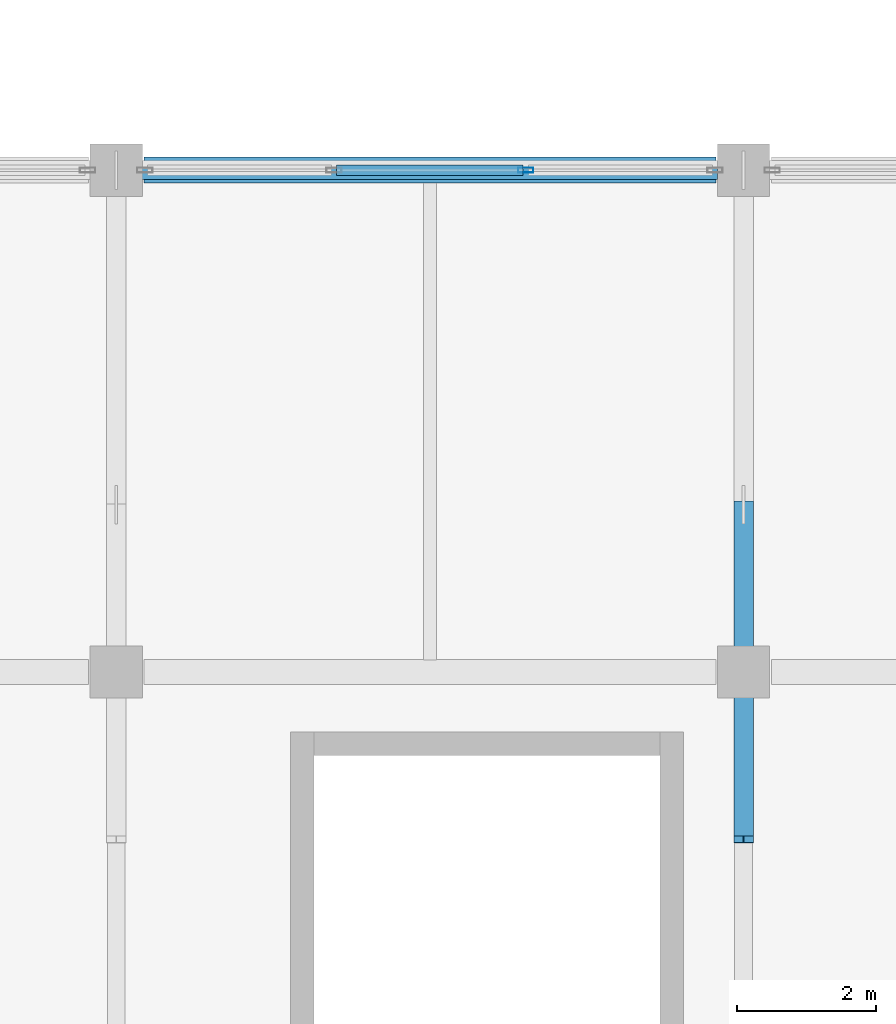
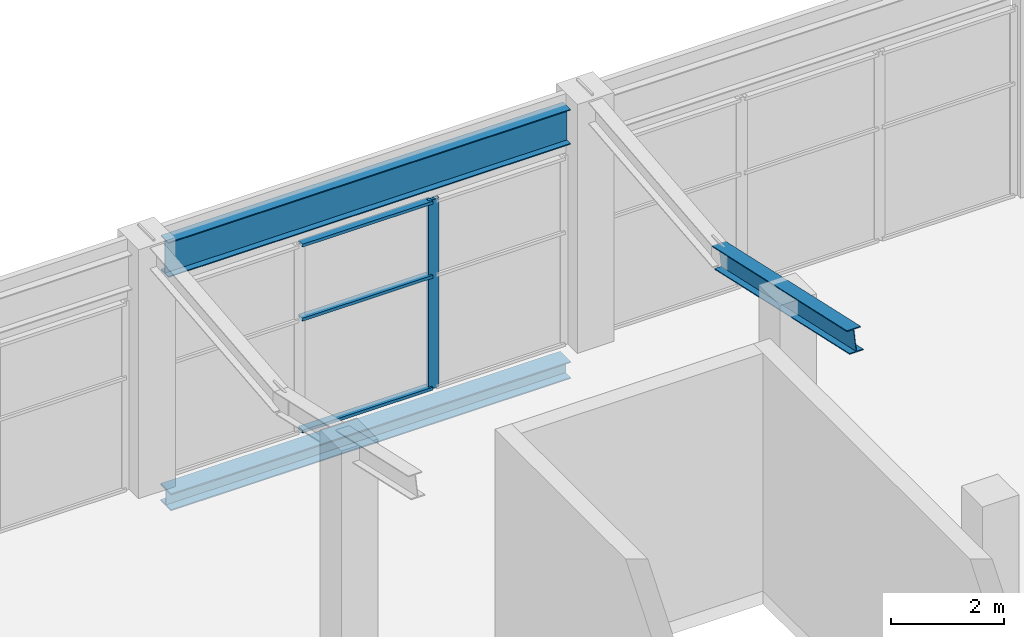
# One storey, part 87 of 189: 5 members, 2 beams, 1 element without a shape of its own.
"""IFC4 building model written with IfcOpenShell, lengths in metres."""

import ifcopenshell
import ifcopenshell.guid

model = None  # the IFC model being written
_history = None  # IfcOwnerHistory: only IFC2X3 demands one
_inside = {}  # id of a spatial element -> (the spatial element, [elements in it])
_under = {}  # id of a project, library or spatial element -> (it, [spatial elements below it])
_declared = {}  # id of a project -> (the project, [libraries it declares])
_typed = {}  # id of a type object -> (the type object, [elements of that type])
_made_of = {}  # id of a material, layer set ... -> (it, [elements and type objects made of it])


def new_model(schema):
    """Start an empty IFC model of exactly this schema.

    Asked for "IFC4X3", IfcOpenShell would pick the latest addendum, in which some entities
    have other attributes; the version numbers below select the first issue.
    IFC2X3 requires an IfcOwnerHistory on every rooted entity: one is made here for all.
    """
    global model, _history
    if schema == "IFC4X3":
        model = ifcopenshell.file(schema_version=(4, 3, 0, 0))
    else:
        model = ifcopenshell.file(schema=schema)
    _inside.clear()
    _under.clear()
    _declared.clear()
    _typed.clear()
    _made_of.clear()
    _history = None
    if model.schema == "IFC2X3":
        org = make("IfcOrganization", Name="unknown")
        user = make(
            "IfcPersonAndOrganization",
            ThePerson=make("IfcPerson", FamilyName="unknown"),
            TheOrganization=org,
        )
        app = make(
            "IfcApplication",
            ApplicationDeveloper=org,
            Version="unknown",
            ApplicationFullName="unknown",
            ApplicationIdentifier="unknown",
        )
        _history = make(
            "IfcOwnerHistory",
            OwningUser=user,
            OwningApplication=app,
            ChangeAction="ADDED",
            CreationDate=0,
        )
    return model


def make(cls, **values):
    """One entity of the class cls with the attributes given. An attribute that is None is left unset."""
    return model.create_entity(
        cls, **{name: value for name, value in values.items() if value is not None}
    )


def rooted(cls, **values):
    """An entity with a GlobalId (a new one), such as an element, a storey or a relation."""
    return make(cls, GlobalId=ifcopenshell.guid.new(), OwnerHistory=_history, **values)


def si_unit(unit_type, name, prefix=None):
    """IfcSIUnit, for example si_unit("LENGTHUNIT", "METRE", prefix="MILLI")."""
    return make("IfcSIUnit", UnitType=unit_type, Prefix=prefix, Name=name)


def assignment(units):
    """IfcUnitAssignment: the units of a project."""
    return None if units is None else make("IfcUnitAssignment", Units=units)


def point(xyz):
    """IfcCartesianPoint."""
    return None if xyz is None else make("IfcCartesianPoint", Coordinates=xyz)


def direction(xyz):
    """IfcDirection."""
    return None if xyz is None else make("IfcDirection", DirectionRatios=xyz)


def frame(location, z_axis=None, x_axis=None):
    """IfcAxis2Placement3D, a coordinate frame: its origin and axes. An axis left out is left unset."""
    return make(
        "IfcAxis2Placement3D",
        Location=point(location),
        Axis=direction(z_axis),
        RefDirection=direction(x_axis),
    )


def frame_2d(location, x_axis=None):
    """IfcAxis2Placement2D, a coordinate frame in the plane: its origin and x axis."""
    return make(
        "IfcAxis2Placement2D", Location=point(location), RefDirection=direction(x_axis)
    )


def origin():
    """The frame at (0, 0, 0) with its axes left unset."""
    return frame((0.0, 0.0, 0.0))


def origin_2d():
    """The frame at (0, 0) in the plane with its x axis left unset."""
    return frame_2d((0.0, 0.0))


def place(relative_to, where):
    """IfcLocalPlacement: puts the frame where relative to a parent placement (None: the world)."""
    return make(
        "IfcLocalPlacement", PlacementRelTo=relative_to, RelativePlacement=where
    )


def context(
    kind, dimensions, precision=None, world=None, true_north=None, identifier=None
):
    """IfcGeometricRepresentationContext, for example the 3D "Model" context."""
    return make(
        "IfcGeometricRepresentationContext",
        ContextIdentifier=identifier,
        ContextType=kind,
        CoordinateSpaceDimension=dimensions,
        Precision=precision,
        WorldCoordinateSystem=world,
        TrueNorth=true_north,
    )


def subcontext(parent, identifier, kind, view, scale=None):
    """IfcGeometricRepresentationSubContext, for example "Body" below "Model"."""
    return make(
        "IfcGeometricRepresentationSubContext",
        ContextIdentifier=identifier,
        ContextType=kind,
        ParentContext=parent,
        TargetScale=scale,
        TargetView=view,
    )


def project(units=None, contexts=None):
    """IfcProject with its units and contexts."""
    return rooted(
        "IfcProject",
        Name="project",
        RepresentationContexts=contexts,
        UnitsInContext=assignment(units),
    )


def spatial(cls, under=None, at=None, **own):
    """A site, building, storey or space (cls), placed at a placement, below another one or the project."""
    s = rooted(cls, ObjectPlacement=at, **own)
    if under is not None:
        _under.setdefault(under.id(), (under, []))[1].append(s)
    return s


def profile(cls, at=None, kind="AREA", **sizes):
    """A parametric profile (cls). Its sizes go by their IFC names, for example OverallWidth=200.0."""
    return make(cls, ProfileType=kind, Position=at, **sizes)


def hollow_rectangle(**sizes):
    """IfcRectangleHollowProfileDef."""
    return profile("IfcRectangleHollowProfileDef", **sizes)


def i_section(**sizes):
    """IfcIShapeProfileDef."""
    return profile("IfcIShapeProfileDef", **sizes)


def extrude(swept, where, along, depth):
    """IfcExtrudedAreaSolid: the profile swept, set in the frame where, extruded along a direction by depth."""
    return make(
        "IfcExtrudedAreaSolid",
        SweptArea=swept,
        Position=where,
        ExtrudedDirection=direction(along),
        Depth=depth,
    )


def shape(context_of_items, identifier, shape_type, items):
    """IfcShapeRepresentation: the items that make up one representation, for example the "Body"."""
    return make(
        "IfcShapeRepresentation",
        ContextOfItems=context_of_items,
        RepresentationIdentifier=identifier,
        RepresentationType=shape_type,
        Items=items,
    )


def material(Name=None, Category=None):
    """IfcMaterial."""
    return make("IfcMaterial", Name=Name, Category=Category)


def layer(
    of_material, thickness, ventilated=None, Name=None, Category=None, Priority=None
):
    """IfcMaterialLayer: one layer of a wall or slab, of a material (None: an air gap)."""
    return make(
        "IfcMaterialLayer",
        Material=of_material,
        LayerThickness=thickness,
        IsVentilated=ventilated,
        Name=Name,
        Category=Category,
        Priority=Priority,
    )


def layer_set(layers, Name=None):
    """IfcMaterialLayerSet."""
    return make("IfcMaterialLayerSet", MaterialLayers=layers, LayerSetName=Name)


def material_profile(
    of_material, cross_section, Name=None, Category=None, Priority=None
):
    """IfcMaterialProfile: a cross section and its material."""
    return make(
        "IfcMaterialProfile",
        Name=Name,
        Material=of_material,
        Profile=cross_section,
        Priority=Priority,
        Category=Category,
    )


def profile_set(profiles, Name=None, composite=None):
    """IfcMaterialProfileSet."""
    return make(
        "IfcMaterialProfileSet",
        Name=Name,
        MaterialProfiles=profiles,
        CompositeProfile=composite,
    )


def made_of(thing, what):
    """Note that an element or type object is made of a material, layer set ...; save() writes the relation."""
    if what is not None:
        _made_of.setdefault(what.id(), (what, []))[1].append(thing)
    return thing


def type_object(cls, material=None, **own):
    """A type object (cls), such as IfcWallType, which elements share."""
    return made_of(rooted(cls, **own), material)


def element(
    cls,
    number,
    at=None,
    inside=None,
    cuts=None,
    type_object=None,
    material=None,
    context=None,
    identifier="Body",
    shape_type=None,
    held_by="IfcProductDefinitionShape",
    body=None,
    shapes=None,
    **own,
):
    """One element of the class cls, such as IfcWall. Its Tag is "e" and its number.

    at: its placement. inside: the storey or other place that contains it. cuts: it is an
    opening in that element (IfcRelVoidsElement). A single representation is given by context,
    identifier, shape_type and body (its items); several are given by shapes. held_by: the class
    of the entity that holds the representations. save() writes the other relations.
    """
    e = rooted(cls, Tag="e%d" % number, ObjectPlacement=at, **own)
    if body is not None:
        shapes = [shape(context, identifier, shape_type, body)]
    if shapes is not None:
        e.Representation = make(held_by, Representations=shapes)
    if inside is not None:
        _inside.setdefault(inside.id(), (inside, []))[1].append(e)
    if cuts is not None:
        rooted(
            "IfcRelVoidsElement", RelatingBuildingElement=cuts, RelatedOpeningElement=e
        )
    if type_object is not None:
        _typed.setdefault(type_object.id(), (type_object, []))[1].append(e)
    return made_of(e, material)


def aggregate(whole, parts):
    """IfcRelAggregates: a whole, such as a stair, and the parts it consists of."""
    return rooted("IfcRelAggregates", RelatingObject=whole, RelatedObjects=parts)


def save(model, path):
    """Write the relations noted so far, then the file.

    IfcRelAggregates (storeys below a building ...), IfcRelContainedInSpatialStructure (elements
    in a storey), IfcRelDefinesByType, IfcRelAssociatesMaterial and IfcRelDeclares: one each for
    every whole, place, type object, material and project.
    """
    for whole, parts in _under.values():
        aggregate(whole, parts)
    for where, things in _inside.values():
        rooted(
            "IfcRelContainedInSpatialStructure",
            RelatedElements=things,
            RelatingStructure=where,
        )
    for kind, things in _typed.values():
        rooted("IfcRelDefinesByType", RelatedObjects=things, RelatingType=kind)
    for what, things in _made_of.values():
        rooted("IfcRelAssociatesMaterial", RelatedObjects=things, RelatingMaterial=what)
    for by, libraries in _declared.values():
        rooted("IfcRelDeclares", RelatingContext=by, RelatedDefinitions=libraries)
    model.write(path)


model = new_model("IFC4")

# Units and contexts
model_context = context("Model", 3, precision=1e-05, world=origin(), true_north=direction((0.0, 1.0)))
body_context = subcontext(model_context, "Body", "Model", "MODEL_VIEW")
ifc_project = project(units=[si_unit("LENGTHUNIT", "METRE"), si_unit("AREAUNIT", "SQUARE_METRE"), si_unit("VOLUMEUNIT", "CUBIC_METRE"), si_unit("PLANEANGLEUNIT", "RADIAN"), si_unit("MASSUNIT", "GRAM", prefix="KILO")], contexts=[model_context])

# Site, building, storey
site_placement = place(None, origin())
site = spatial("IfcSite", under=ifc_project, at=site_placement, CompositionType="ELEMENT")
building_placement = place(site_placement, origin())
building = spatial("IfcBuilding", under=site, at=building_placement, Name="Celestram Park Convention Centre", CompositionType="ELEMENT")
storey_placement = place(building_placement, frame((0.0, 0.0, 5.39990234375)))
storey = spatial("IfcBuildingStorey", under=building, at=storey_placement, Name="L01", CompositionType="ELEMENT", Elevation=5.39990234375)

# Curtain wall, members
ifc_material_1 = material(Name="Anodised Aluminium Alloy 6063-T6", Category="aluminium")
ifc_layer = layer(ifc_material_1, 0.179931640625)
ifc_layer_set = layer_set([ifc_layer], Name="Anodised Aluminium Alloy 6063-T6")
curtain_wall_type = type_object("IfcCurtainWallType", Name="ARC-CW-825X410", PredefinedType="NOTDEFINED", material=ifc_layer_set)
curtain_wall_placement = place(storey_placement, origin())
curtain_wall = element("IfcCurtainWall", 1, at=curtain_wall_placement, inside=storey, type_object=curtain_wall_type, Name="Unitised curtain wall CU-L01-048", PredefinedType="NOTDEFINED")
ifc_material_profile_1 = material_profile(ifc_material_1, hollow_rectangle(XDim=0.074951171875, YDim=0.219970703125, WallThickness=0.00390625, at=origin_2d()), Name="ALU75X220X4")
ifc_profile_set_1 = profile_set([ifc_material_profile_1], Name="Anodised Aluminium Alloy 6063-T6")
member_type_1 = type_object("IfcMemberType", Name="ARC-CWM-180", PredefinedType="MULLION", material=ifc_profile_set_1)
member_1_placement = place(storey_placement, frame((14.875732421875, 136.800048828125, 0.0), z_axis=(0.0, 0.0, 1.0), x_axis=(0.0, 1.0, 0.0)))
member_1 = element("IfcMember", 2, at=member_1_placement, type_object=member_type_1, Name="CW-82X41 mullion 3", PredefinedType="MULLION", context=body_context, shape_type="SweptSolid", body=[
    extrude(hollow_rectangle(XDim=0.074951171875, YDim=0.219970703125, WallThickness=0.00390625, at=origin_2d()), origin(), (0.0, 0.0, 1.0), 4.10009765625),
])
ifc_material_profile_2 = material_profile(ifc_material_1, hollow_rectangle(XDim=0.14990234375, YDim=0.06494140625, WallThickness=0.0029296875, at=origin_2d()), Name="ALU150X65X3")
ifc_profile_set_2 = profile_set([ifc_material_profile_2], Name="Anodised Aluminium Alloy 6063-T6")
member_type_2 = type_object("IfcMemberType", Name="ARC-CWT-150", PredefinedType="USERDEFINED", material=ifc_profile_set_2)
member_2_placement = place(storey_placement, frame((12.161865234375, 136.800048828125, 0.03271484375), z_axis=(1.0, 0.0, 0.0), x_axis=(0.0, 1.0, 0.0)))
member_2 = element("IfcMember", 3, at=member_2_placement, type_object=member_type_2, Name="CW-82X41 transom 2.1", ObjectType="TRANSOM", PredefinedType="USERDEFINED", context=body_context, shape_type="SweptSolid", body=[
    extrude(hollow_rectangle(XDim=0.14990234375, YDim=0.06494140625, WallThickness=0.0029296875, at=origin_2d()), origin(), (0.0, 0.0, 1.0), 2.67626953125),
])
member_3_placement = place(storey_placement, frame((12.161865234375, 136.800048828125, 2.460205078125), z_axis=(1.0, 0.0, 0.0), x_axis=(0.0, 1.0, 0.0)))
member_3 = element("IfcMember", 4, at=member_3_placement, type_object=member_type_2, Name="CW-82X41 transom 2.2", ObjectType="TRANSOM", PredefinedType="USERDEFINED", context=body_context, shape_type="SweptSolid", body=[
    extrude(hollow_rectangle(XDim=0.14990234375, YDim=0.06494140625, WallThickness=0.0029296875, at=origin_2d()), origin(), (0.0, 0.0, 1.0), 2.67626953125),
])
member_4_placement = place(storey_placement, frame((12.161865234375, 136.800048828125, 4.067626953125), z_axis=(1.0, 0.0, 0.0), x_axis=(0.0, 1.0, 0.0)))
member_4 = element("IfcMember", 5, at=member_4_placement, type_object=member_type_2, Name="CW-82X41 transom 2.3", ObjectType="TRANSOM", PredefinedType="USERDEFINED", context=body_context, shape_type="SweptSolid", body=[
    extrude(hollow_rectangle(XDim=0.14990234375, YDim=0.06494140625, WallThickness=0.0029296875, at=origin_2d()), origin(), (0.0, 0.0, 1.0), 2.67626953125),
])
aggregate(curtain_wall, [member_1, member_2, member_3, member_4])

# Beam
ifc_material_2 = material(Name="Steel ASTM A992 Grade 50", Category="steel")
ifc_material_profile_3 = material_profile(ifc_material_2, i_section(OverallWidth=0.26708984375, OverallDepth=0.761962890625, WebThickness=0.014404296875, FlangeThickness=0.021484375, at=origin_2d()), Name="W30X116")
ifc_profile_set_3 = profile_set([ifc_material_profile_3], Name="Steel ASTM A992 Grade 50")
beam_type_1 = type_object("IfcBeamType", Name="STR-BM-W30X116", PredefinedType="BEAM", material=ifc_profile_set_3)
beam_1_placement = place(storey_placement, frame((9.373046875, 136.800048828125, 4.76904296875), z_axis=(1.0, 0.0, 0.0), x_axis=(0.0, 1.0, 0.0)))
element("IfcBeam", 6, at=beam_1_placement, inside=storey, type_object=beam_type_1, Name="West pavilion eaves girder BG-L01-0617", PredefinedType="BEAM", context=body_context, shape_type="SweptSolid", body=[
    extrude(i_section(OverallWidth=0.26708984375, OverallDepth=0.761962890625, WebThickness=0.014404296875, FlangeThickness=0.021484375, at=origin_2d()), origin(), (0.0, 0.0, 1.0), 8.25390625),
])

# Member
ifc_material_profile_4 = material_profile(ifc_material_2, i_section(OverallWidth=0.281982421875, OverallDepth=0.467041015625, WebThickness=0.01220703125, FlangeThickness=0.01953125, at=origin_2d()), Name="W18X86")
ifc_profile_set_4 = profile_set([ifc_material_profile_4], Name="Steel ASTM A992 Grade 50")
member_type_3 = type_object("IfcMemberType", Name="STR-CHD-W18X86", PredefinedType="CHORD", material=ifc_profile_set_4)
member_5_placement = place(storey_placement, frame((18.0, 127.199951171875, 5.747314453125), z_axis=(0.0, 0.976198741481, -0.216877885295), x_axis=(-1.0, 0.0, 0.0)))
element("IfcMember", 7, at=member_5_placement, inside=storey, type_object=member_type_3, Name="WPV arch bottom chord", PredefinedType="CHORD", context=body_context, shape_type="SweptSolid", body=[
    extrude(i_section(OverallWidth=0.281982421875, OverallDepth=0.467041015625, WebThickness=0.01220703125, FlangeThickness=0.01953125, at=origin_2d()), origin(), (0.0, 0.0, 1.0), 4.9169921875),
])

# Beam
ifc_material_profile_5 = material_profile(ifc_material_2, i_section(OverallWidth=0.373046875, OverallDepth=0.373046875, WebThickness=0.016357421875, FlangeThickness=0.026123046875, at=origin_2d()), Name="W14X132")
ifc_profile_set_5 = profile_set([ifc_material_profile_5], Name="Steel ASTM A992 Grade 50")
beam_type_2 = type_object("IfcBeamType", Name="STR-SPN-W14X132", PredefinedType="SPANDREL", material=ifc_profile_set_5)
beam_2_placement = place(storey_placement, frame((9.39794921875, 136.800048828125, -0.46630859375), z_axis=(1.0, 0.0, 0.0), x_axis=(0.0, 1.0, 0.0)))
element("IfcBeam", 8, at=beam_2_placement, inside=storey, type_object=beam_type_2, Name="Primary X-girder BG-L01-0017", PredefinedType="SPANDREL", context=body_context, shape_type="SweptSolid", body=[
    extrude(i_section(OverallWidth=0.373046875, OverallDepth=0.373046875, WebThickness=0.016357421875, FlangeThickness=0.026123046875, at=origin_2d()), origin(), (0.0, 0.0, 1.0), 8.2041015625),
])

save(model, "model.ifc")
